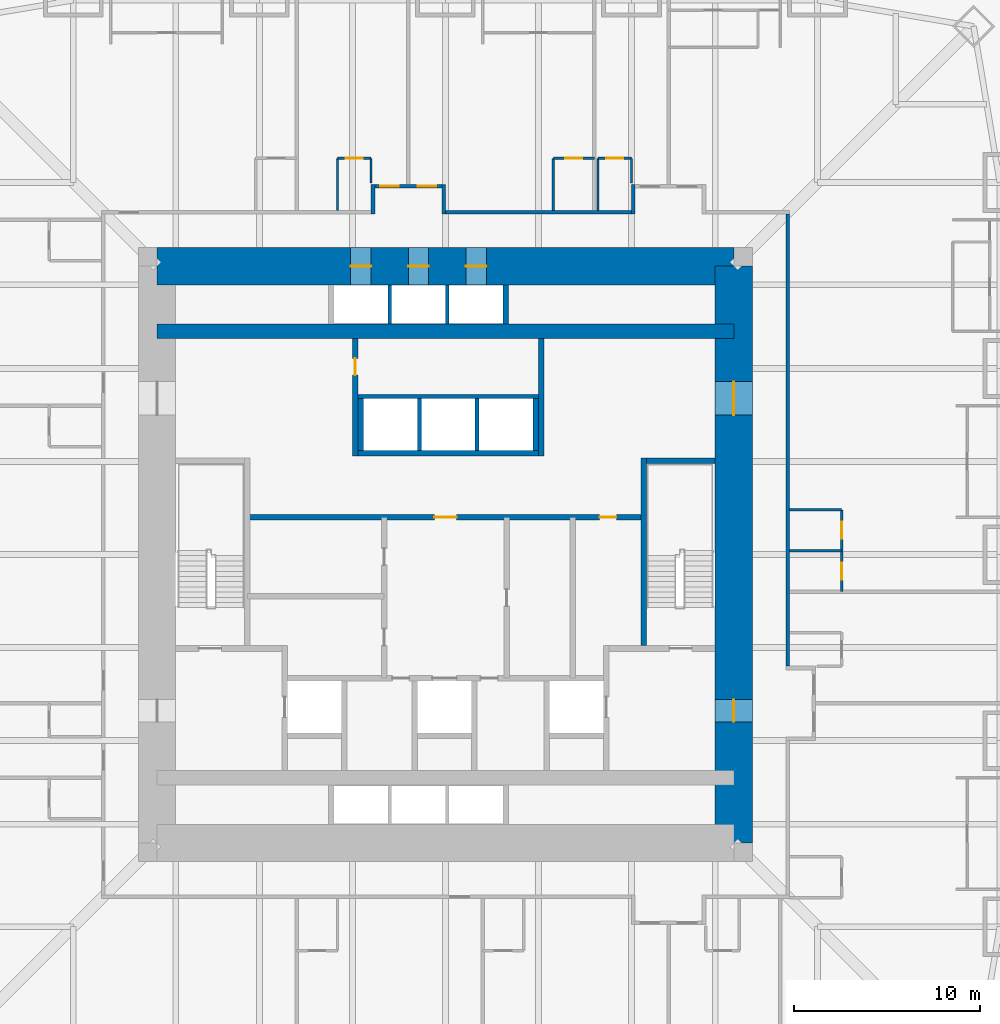
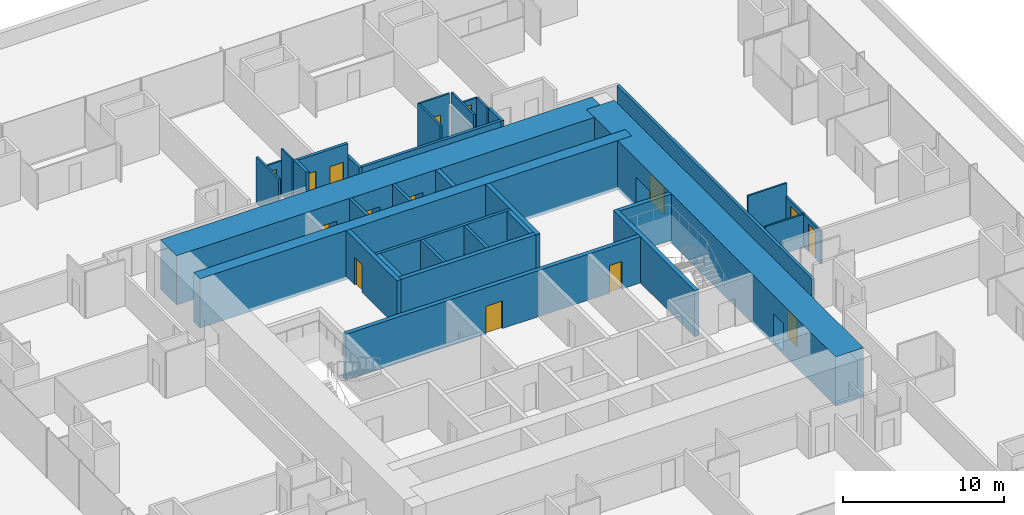
# One storey, part 17 of 20: 34 walls, 15 doors, 15 openings.
"""IFC4 building model written with IfcOpenShell, lengths in metres."""

import ifcopenshell
import ifcopenshell.guid

model = None  # the IFC model being written
_history = None  # IfcOwnerHistory: only IFC2X3 demands one
_inside = {}  # id of a spatial element -> (the spatial element, [elements in it])
_under = {}  # id of a project, library or spatial element -> (it, [spatial elements below it])
_declared = {}  # id of a project -> (the project, [libraries it declares])
_typed = {}  # id of a type object -> (the type object, [elements of that type])
_made_of = {}  # id of a material, layer set ... -> (it, [elements and type objects made of it])


def new_model(schema):
    """Start an empty IFC model of exactly this schema.

    Asked for "IFC4X3", IfcOpenShell would pick the latest addendum, in which some entities
    have other attributes; the version numbers below select the first issue.
    IFC2X3 requires an IfcOwnerHistory on every rooted entity: one is made here for all.
    """
    global model, _history
    if schema == "IFC4X3":
        model = ifcopenshell.file(schema_version=(4, 3, 0, 0))
    else:
        model = ifcopenshell.file(schema=schema)
    _inside.clear()
    _under.clear()
    _declared.clear()
    _typed.clear()
    _made_of.clear()
    _history = None
    if model.schema == "IFC2X3":
        org = make("IfcOrganization", Name="unknown")
        user = make(
            "IfcPersonAndOrganization",
            ThePerson=make("IfcPerson", FamilyName="unknown"),
            TheOrganization=org,
        )
        app = make(
            "IfcApplication",
            ApplicationDeveloper=org,
            Version="unknown",
            ApplicationFullName="unknown",
            ApplicationIdentifier="unknown",
        )
        _history = make(
            "IfcOwnerHistory",
            OwningUser=user,
            OwningApplication=app,
            ChangeAction="ADDED",
            CreationDate=0,
        )
    return model


def make(cls, **values):
    """One entity of the class cls with the attributes given. An attribute that is None is left unset."""
    return model.create_entity(
        cls, **{name: value for name, value in values.items() if value is not None}
    )


def rooted(cls, **values):
    """An entity with a GlobalId (a new one), such as an element, a storey or a relation."""
    return make(cls, GlobalId=ifcopenshell.guid.new(), OwnerHistory=_history, **values)


def si_unit(unit_type, name, prefix=None):
    """IfcSIUnit, for example si_unit("LENGTHUNIT", "METRE", prefix="MILLI")."""
    return make("IfcSIUnit", UnitType=unit_type, Prefix=prefix, Name=name)


def assignment(units):
    """IfcUnitAssignment: the units of a project."""
    return None if units is None else make("IfcUnitAssignment", Units=units)


def point(xyz):
    """IfcCartesianPoint."""
    return None if xyz is None else make("IfcCartesianPoint", Coordinates=xyz)


def direction(xyz):
    """IfcDirection."""
    return None if xyz is None else make("IfcDirection", DirectionRatios=xyz)


def frame(location, z_axis=None, x_axis=None):
    """IfcAxis2Placement3D, a coordinate frame: its origin and axes. An axis left out is left unset."""
    return make(
        "IfcAxis2Placement3D",
        Location=point(location),
        Axis=direction(z_axis),
        RefDirection=direction(x_axis),
    )


def frame_2d(location, x_axis=None):
    """IfcAxis2Placement2D, a coordinate frame in the plane: its origin and x axis."""
    return make(
        "IfcAxis2Placement2D", Location=point(location), RefDirection=direction(x_axis)
    )


def origin():
    """The frame at (0, 0, 0) with its axes left unset."""
    return frame((0.0, 0.0, 0.0))


def place(relative_to, where):
    """IfcLocalPlacement: puts the frame where relative to a parent placement (None: the world)."""
    return make(
        "IfcLocalPlacement", PlacementRelTo=relative_to, RelativePlacement=where
    )


def context(
    kind, dimensions, precision=None, world=None, true_north=None, identifier=None
):
    """IfcGeometricRepresentationContext, for example the 3D "Model" context."""
    return make(
        "IfcGeometricRepresentationContext",
        ContextIdentifier=identifier,
        ContextType=kind,
        CoordinateSpaceDimension=dimensions,
        Precision=precision,
        WorldCoordinateSystem=world,
        TrueNorth=true_north,
    )


def subcontext(parent, identifier, kind, view, scale=None):
    """IfcGeometricRepresentationSubContext, for example "Body" below "Model"."""
    return make(
        "IfcGeometricRepresentationSubContext",
        ContextIdentifier=identifier,
        ContextType=kind,
        ParentContext=parent,
        TargetScale=scale,
        TargetView=view,
    )


def project(units=None, contexts=None):
    """IfcProject with its units and contexts."""
    return rooted(
        "IfcProject",
        Name="project",
        RepresentationContexts=contexts,
        UnitsInContext=assignment(units),
    )


def spatial(cls, under=None, at=None, **own):
    """A site, building, storey or space (cls), placed at a placement, below another one or the project."""
    s = rooted(cls, ObjectPlacement=at, **own)
    if under is not None:
        _under.setdefault(under.id(), (under, []))[1].append(s)
    return s


def profile(cls, at=None, kind="AREA", **sizes):
    """A parametric profile (cls). Its sizes go by their IFC names, for example OverallWidth=200.0."""
    return make(cls, ProfileType=kind, Position=at, **sizes)


def rectangle(**sizes):
    """IfcRectangleProfileDef."""
    return profile("IfcRectangleProfileDef", **sizes)


def extrude(swept, where, along, depth):
    """IfcExtrudedAreaSolid: the profile swept, set in the frame where, extruded along a direction by depth."""
    return make(
        "IfcExtrudedAreaSolid",
        SweptArea=swept,
        Position=where,
        ExtrudedDirection=direction(along),
        Depth=depth,
    )


def shape(context_of_items, identifier, shape_type, items):
    """IfcShapeRepresentation: the items that make up one representation, for example the "Body"."""
    return make(
        "IfcShapeRepresentation",
        ContextOfItems=context_of_items,
        RepresentationIdentifier=identifier,
        RepresentationType=shape_type,
        Items=items,
    )


def material(Name=None, Category=None):
    """IfcMaterial."""
    return make("IfcMaterial", Name=Name, Category=Category)


def layer(
    of_material, thickness, ventilated=None, Name=None, Category=None, Priority=None
):
    """IfcMaterialLayer: one layer of a wall or slab, of a material (None: an air gap)."""
    return make(
        "IfcMaterialLayer",
        Material=of_material,
        LayerThickness=thickness,
        IsVentilated=ventilated,
        Name=Name,
        Category=Category,
        Priority=Priority,
    )


def layer_set(layers, Name=None):
    """IfcMaterialLayerSet."""
    return make("IfcMaterialLayerSet", MaterialLayers=layers, LayerSetName=Name)


def made_of(thing, what):
    """Note that an element or type object is made of a material, layer set ...; save() writes the relation."""
    if what is not None:
        _made_of.setdefault(what.id(), (what, []))[1].append(thing)
    return thing


def type_object(cls, material=None, **own):
    """A type object (cls), such as IfcWallType, which elements share."""
    return made_of(rooted(cls, **own), material)


def element(
    cls,
    number,
    at=None,
    inside=None,
    cuts=None,
    type_object=None,
    material=None,
    context=None,
    identifier="Body",
    shape_type=None,
    held_by="IfcProductDefinitionShape",
    body=None,
    shapes=None,
    **own,
):
    """One element of the class cls, such as IfcWall. Its Tag is "e" and its number.

    at: its placement. inside: the storey or other place that contains it. cuts: it is an
    opening in that element (IfcRelVoidsElement). A single representation is given by context,
    identifier, shape_type and body (its items); several are given by shapes. held_by: the class
    of the entity that holds the representations. save() writes the other relations.
    """
    e = rooted(cls, Tag="e%d" % number, ObjectPlacement=at, **own)
    if body is not None:
        shapes = [shape(context, identifier, shape_type, body)]
    if shapes is not None:
        e.Representation = make(held_by, Representations=shapes)
    if inside is not None:
        _inside.setdefault(inside.id(), (inside, []))[1].append(e)
    if cuts is not None:
        rooted(
            "IfcRelVoidsElement", RelatingBuildingElement=cuts, RelatedOpeningElement=e
        )
    if type_object is not None:
        _typed.setdefault(type_object.id(), (type_object, []))[1].append(e)
    return made_of(e, material)


def fill(opening, filler):
    """IfcRelFillsElement: the door or window that sits in an opening."""
    return rooted(
        "IfcRelFillsElement",
        RelatingOpeningElement=opening,
        RelatedBuildingElement=filler,
    )


def aggregate(whole, parts):
    """IfcRelAggregates: a whole, such as a stair, and the parts it consists of."""
    return rooted("IfcRelAggregates", RelatingObject=whole, RelatedObjects=parts)


def save(model, path):
    """Write the relations noted so far, then the file.

    IfcRelAggregates (storeys below a building ...), IfcRelContainedInSpatialStructure (elements
    in a storey), IfcRelDefinesByType, IfcRelAssociatesMaterial and IfcRelDeclares: one each for
    every whole, place, type object, material and project.
    """
    for whole, parts in _under.values():
        aggregate(whole, parts)
    for where, things in _inside.values():
        rooted(
            "IfcRelContainedInSpatialStructure",
            RelatedElements=things,
            RelatingStructure=where,
        )
    for kind, things in _typed.values():
        rooted("IfcRelDefinesByType", RelatedObjects=things, RelatingType=kind)
    for what, things in _made_of.values():
        rooted("IfcRelAssociatesMaterial", RelatedObjects=things, RelatingMaterial=what)
    for by, libraries in _declared.values():
        rooted("IfcRelDeclares", RelatingContext=by, RelatedDefinitions=libraries)
    model.write(path)


model = new_model("IFC4")

# Units and contexts
model_context = context("Model", 3, precision=1e-05, world=origin(), true_north=direction((0.0, 1.0)))
body_context = subcontext(model_context, "Body", "Model", "MODEL_VIEW")
ifc_project = project(units=[si_unit("LENGTHUNIT", "METRE"), si_unit("AREAUNIT", "SQUARE_METRE"), si_unit("VOLUMEUNIT", "CUBIC_METRE"), si_unit("PLANEANGLEUNIT", "RADIAN"), si_unit("MASSUNIT", "GRAM", prefix="KILO")], contexts=[model_context])

# Site, building, storey
site_placement = place(None, origin())
site = spatial("IfcSite", under=ifc_project, at=site_placement, CompositionType="ELEMENT")
building_placement = place(site_placement, origin())
building = spatial("IfcBuilding", under=site, at=building_placement, Name="Khuree Lantern Residences", CompositionType="ELEMENT")
storey_placement = place(building_placement, frame((0.0, 0.0, 21.0)))
storey = spatial("IfcBuildingStorey", under=building, at=storey_placement, Name="L04", CompositionType="ELEMENT", Elevation=21.0)

# Wall, openings, doors
ifc_material_1 = material(Name="Moisture-resistant gypsum board on steel studs", Category="steel")
ifc_layer_1 = layer(ifc_material_1, 0.125)
ifc_layer_set_1 = layer_set([ifc_layer_1], Name="BATHROOM WALL BTW125")
wall_type_1 = type_object("IfcWallType", Name="BATHROOM WALL BTW125", PredefinedType="PARTITIONING", material=ifc_layer_set_1)
wall_1_placement = place(storey_placement, frame((21.300048828125, -2.0, 0.0), z_axis=(0.0, 0.0, 1.0), x_axis=(0.0, 1.0, 0.0)))
wall_1 = element("IfcWall", 1, at=wall_1_placement, inside=storey, type_object=wall_type_1, Name="L04 BATHROOM WALL 02", PredefinedType="PARTITIONING", context=body_context, shape_type="SweptSolid", body=[
    extrude(rectangle(XDim=4.39990234375, YDim=0.125, at=frame_2d((2.199951171875, 0.0))), origin(), (0.0, 0.0, 1.0), 2.491943359375),
])
opening_1_placement = place(wall_1_placement, frame((0.64990234375, 0.0, 0.0)))
opening_1 = element("IfcOpeningElement", 2, at=opening_1_placement, cuts=wall_1, Name="Opening 04-028", PredefinedType="OPENING", context=body_context, shape_type="SweptSolid", body=[
    extrude(rectangle(XDim=0.89990234375, YDim=2.10009765625, at=frame_2d((0.449951171875, 1.050048828125))), frame((0.0, 0.072509765625, 0.0), z_axis=(0.0, -1.0, 0.0), x_axis=(1.0, 0.0, 0.0)), (0.0, 0.0, 1.0), 0.14501953125),
])
opening_2_placement = place(wall_1_placement, frame((2.85009765625, 0.0, 0.0)))
opening_2 = element("IfcOpeningElement", 3, at=opening_2_placement, cuts=wall_1, Name="Opening 04-029", PredefinedType="OPENING", context=body_context, shape_type="SweptSolid", body=[
    extrude(rectangle(XDim=0.89990234375, YDim=2.10009765625, at=frame_2d((0.449951171875, 1.050048828125))), frame((0.0, 0.072509765625, 0.0), z_axis=(0.0, -1.0, 0.0), x_axis=(1.0, 0.0, 0.0)), (0.0, 0.0, 1.0), 0.14501953125),
])
ifc_material_2 = material(Name="Timber door leaf in hardwood frame", Category="wood")
door_type_1 = type_object("IfcDoorType", Name="BATHROOM DOOR 900X2100", OperationType="SINGLE_SWING_LEFT", PredefinedType="DOOR", material=ifc_material_2)
door_1_placement = place(opening_1_placement, origin())
door_1 = element("IfcDoor", 4, at=door_1_placement, inside=storey, type_object=door_type_1, Name="Bathroom door 04-028", OperationType="SINGLE_SWING_LEFT", OverallHeight=2.10009765625, OverallWidth=0.89990234375, PredefinedType="DOOR", context=body_context, shape_type="SweptSolid", body=[
    extrude(rectangle(XDim=0.89990234375, YDim=2.10009765625, at=frame_2d((0.449951171875, 1.050048828125))), frame((0.0, 0.02490234375, 0.0), z_axis=(0.0, -1.0, 0.0), x_axis=(1.0, 0.0, 0.0)), (0.0, 0.0, 1.0), 0.050048828125),
])
fill(opening_1, door_1)
door_2_placement = place(opening_2_placement, origin())
door_2 = element("IfcDoor", 5, at=door_2_placement, inside=storey, type_object=door_type_1, Name="Bathroom door 04-029", OperationType="SINGLE_SWING_LEFT", OverallHeight=2.10009765625, OverallWidth=0.89990234375, PredefinedType="DOOR", context=body_context, shape_type="SweptSolid", body=[
    extrude(rectangle(XDim=0.89990234375, YDim=2.10009765625, at=frame_2d((0.449951171875, 1.050048828125))), frame((0.0, 0.02490234375, 0.0), z_axis=(0.0, -1.0, 0.0), x_axis=(1.0, 0.0, 0.0)), (0.0, 0.0, 1.0), 0.050048828125),
])
fill(opening_2, door_2)

# Walls
wall_2_placement = place(storey_placement, frame((18.5, 0.199951171875, 0.0), z_axis=(0.0, 0.0, 1.0), x_axis=(1.0, 0.0, 0.0)))
element("IfcWall", 6, at=wall_2_placement, inside=storey, type_object=wall_type_1, Name="L04 BATHROOM WALL 02", PredefinedType="PARTITIONING", context=body_context, shape_type="SweptSolid", body=[
    extrude(rectangle(XDim=2.800048828125, YDim=0.125, at=frame_2d((1.39990234375, 0.0))), origin(), (0.0, 0.0, 1.0), 2.491943359375),
])
wall_3_placement = place(storey_placement, frame((18.5, 2.39990234375, 0.0), z_axis=(0.0, 0.0, 1.0), x_axis=(1.0, 0.0, 0.0)))
element("IfcWall", 7, at=wall_3_placement, inside=storey, type_object=wall_type_1, Name="L04 BATHROOM WALL 02", PredefinedType="PARTITIONING", context=body_context, shape_type="SweptSolid", body=[
    extrude(rectangle(XDim=2.800048828125, YDim=0.125, at=frame_2d((1.39990234375, 0.0))), origin(), (0.0, 0.0, 1.0), 3.5),
])

# Wall, opening, door
wall_4_placement = place(storey_placement, frame((10.0, 21.300048828125, 0.0), z_axis=(0.0, 0.0, 1.0), x_axis=(-1.0, 0.0, 0.0)))
wall_4 = element("IfcWall", 8, at=wall_4_placement, inside=storey, type_object=wall_type_1, Name="L04 BATHROOM WALL 03", PredefinedType="PARTITIONING", context=body_context, shape_type="SweptSolid", body=[
    extrude(rectangle(XDim=1.800048828125, YDim=0.125, at=frame_2d((0.89990234375, 0.0))), origin(), (0.0, 0.0, 1.0), 2.491943359375),
])
opening_3_placement = place(wall_4_placement, frame((0.449951171875, 0.0, 0.0)))
opening_3 = element("IfcOpeningElement", 9, at=opening_3_placement, cuts=wall_4, Name="Opening 04-031", PredefinedType="OPENING", context=body_context, shape_type="SweptSolid", body=[
    extrude(rectangle(XDim=0.89990234375, YDim=2.10009765625, at=frame_2d((0.449951171875, 1.050048828125))), frame((0.0, 0.072509765625, 0.0), z_axis=(0.0, -1.0, 0.0), x_axis=(1.0, 0.0, 0.0)), (0.0, 0.0, 1.0), 0.14501953125),
])
door_3_placement = place(opening_3_placement, origin())
door_3 = element("IfcDoor", 10, at=door_3_placement, inside=storey, type_object=door_type_1, Name="Bathroom door 04-031", OperationType="SINGLE_SWING_LEFT", OverallHeight=2.10009765625, OverallWidth=0.89990234375, PredefinedType="DOOR", context=body_context, shape_type="SweptSolid", body=[
    extrude(rectangle(XDim=0.89990234375, YDim=2.10009765625, at=frame_2d((0.449951171875, 1.050048828125))), frame((0.0, 0.02490234375, 0.0), z_axis=(0.0, -1.0, 0.0), x_axis=(1.0, 0.0, 0.0)), (0.0, 0.0, 1.0), 0.050048828125),
])
fill(opening_3, door_3)

# Walls
wall_5_placement = place(storey_placement, frame((10.0, 19.969970703125, 0.0), z_axis=(0.0, 0.0, 1.0), x_axis=(0.0, 1.0, 0.0)))
element("IfcWall", 11, at=wall_5_placement, inside=storey, type_object=wall_type_1, Name="L04 BATHROOM WALL 03", PredefinedType="PARTITIONING", context=body_context, shape_type="SweptSolid", body=[
    extrude(rectangle(XDim=1.330078125, YDim=0.125, at=frame_2d((0.6650390625, 0.0))), origin(), (0.0, 0.0, 1.0), 2.491943359375),
])
wall_6_placement = place(storey_placement, frame((8.199951171875, 18.5, 0.0), z_axis=(0.0, 0.0, 1.0), x_axis=(0.0, 1.0, 0.0)))
element("IfcWall", 12, at=wall_6_placement, inside=storey, type_object=wall_type_1, Name="L04 BATHROOM WALL 03", PredefinedType="PARTITIONING", context=body_context, shape_type="SweptSolid", body=[
    extrude(rectangle(XDim=2.800048828125, YDim=0.125, at=frame_2d((1.39990234375, 0.0))), origin(), (0.0, 0.0, 1.0), 3.5),
])

# Wall, opening, door
wall_7_placement = place(storey_placement, frame((8.0, 21.300048828125, 0.0), z_axis=(0.0, 0.0, 1.0), x_axis=(-1.0, 0.0, 0.0)))
wall_7 = element("IfcWall", 13, at=wall_7_placement, inside=storey, type_object=wall_type_1, Name="L04 BATHROOM WALL 04", PredefinedType="PARTITIONING", context=body_context, shape_type="SweptSolid", body=[
    extrude(rectangle(XDim=2.199951171875, YDim=0.125, at=frame_2d((1.10009765625, 0.0))), origin(), (0.0, 0.0, 1.0), 3.5),
])
opening_4_placement = place(wall_7_placement, frame((0.64990234375, 0.0, 0.0)))
opening_4 = element("IfcOpeningElement", 14, at=opening_4_placement, cuts=wall_7, Name="Opening 04-034", PredefinedType="OPENING", context=body_context, shape_type="SweptSolid", body=[
    extrude(rectangle(XDim=0.89990234375, YDim=2.10009765625, at=frame_2d((0.449951171875, 1.050048828125))), frame((0.0, 0.072509765625, 0.0), z_axis=(0.0, -1.0, 0.0), x_axis=(1.0, 0.0, 0.0)), (0.0, 0.0, 1.0), 0.14501953125),
])
door_4_placement = place(opening_4_placement, origin())
door_4 = element("IfcDoor", 15, at=door_4_placement, inside=storey, type_object=door_type_1, Name="Bathroom door 04-034", OperationType="SINGLE_SWING_LEFT", OverallHeight=2.10009765625, OverallWidth=0.89990234375, PredefinedType="DOOR", context=body_context, shape_type="SweptSolid", body=[
    extrude(rectangle(XDim=0.89990234375, YDim=2.10009765625, at=frame_2d((0.449951171875, 1.050048828125))), frame((0.0, 0.02490234375, 0.0), z_axis=(0.0, -1.0, 0.0), x_axis=(1.0, 0.0, 0.0)), (0.0, 0.0, 1.0), 0.050048828125),
])
fill(opening_4, door_4)

# Wall
wall_8_placement = place(storey_placement, frame((5.800048828125, 18.5, 0.0), z_axis=(0.0, 0.0, 1.0), x_axis=(0.0, 1.0, 0.0)))
element("IfcWall", 16, at=wall_8_placement, inside=storey, type_object=wall_type_1, Name="L04 BATHROOM WALL 04", PredefinedType="PARTITIONING", context=body_context, shape_type="SweptSolid", body=[
    extrude(rectangle(XDim=2.800048828125, YDim=0.125, at=frame_2d((1.39990234375, 0.0))), origin(), (0.0, 0.0, 1.0), 3.5),
])

# Wall, opening, door
wall_9_placement = place(storey_placement, frame((-4.0, 21.300048828125, 0.0), z_axis=(0.0, 0.0, 1.0), x_axis=(-1.0, 0.0, 0.0)))
wall_9 = element("IfcWall", 17, at=wall_9_placement, inside=storey, type_object=wall_type_1, Name="L04 BATHROOM WALL 05", PredefinedType="PARTITIONING", context=body_context, shape_type="SweptSolid", body=[
    extrude(rectangle(XDim=1.800048828125, YDim=0.125, at=frame_2d((0.89990234375, 0.0))), origin(), (0.0, 0.0, 1.0), 2.610107421875),
])
opening_5_placement = place(wall_9_placement, frame((0.449951171875, 0.0, 0.0)))
opening_5 = element("IfcOpeningElement", 18, at=opening_5_placement, cuts=wall_9, Name="Opening 04-036", PredefinedType="OPENING", context=body_context, shape_type="SweptSolid", body=[
    extrude(rectangle(XDim=0.89990234375, YDim=2.10009765625, at=frame_2d((0.449951171875, 1.050048828125))), frame((0.0, 0.072509765625, 0.0), z_axis=(0.0, -1.0, 0.0), x_axis=(1.0, 0.0, 0.0)), (0.0, 0.0, 1.0), 0.14501953125),
])
door_5_placement = place(opening_5_placement, origin())
door_5 = element("IfcDoor", 19, at=door_5_placement, inside=storey, type_object=door_type_1, Name="Bathroom door 04-036", OperationType="SINGLE_SWING_LEFT", OverallHeight=2.10009765625, OverallWidth=0.89990234375, PredefinedType="DOOR", context=body_context, shape_type="SweptSolid", body=[
    extrude(rectangle(XDim=0.89990234375, YDim=2.10009765625, at=frame_2d((0.449951171875, 1.050048828125))), frame((0.0, 0.02490234375, 0.0), z_axis=(0.0, -1.0, 0.0), x_axis=(1.0, 0.0, 0.0)), (0.0, 0.0, 1.0), 0.050048828125),
])
fill(opening_5, door_5)

# Walls
wall_10_placement = place(storey_placement, frame((-4.0, 19.969970703125, 0.0), z_axis=(0.0, 0.0, 1.0), x_axis=(0.0, 1.0, 0.0)))
element("IfcWall", 20, at=wall_10_placement, inside=storey, type_object=wall_type_1, Name="L04 BATHROOM WALL 05", PredefinedType="PARTITIONING", context=body_context, shape_type="SweptSolid", body=[
    extrude(rectangle(XDim=1.330078125, YDim=0.125, at=frame_2d((0.6650390625, 0.0))), origin(), (0.0, 0.0, 1.0), 3.5),
])
wall_11_placement = place(storey_placement, frame((-5.800048828125, 18.5, 0.0), z_axis=(0.0, 0.0, 1.0), x_axis=(0.0, 1.0, 0.0)))
element("IfcWall", 21, at=wall_11_placement, inside=storey, type_object=wall_type_1, Name="L04 BATHROOM WALL 05", PredefinedType="PARTITIONING", context=body_context, shape_type="SweptSolid", body=[
    extrude(rectangle(XDim=2.800048828125, YDim=0.125, at=frame_2d((1.39990234375, 0.0))), origin(), (0.0, 0.0, 1.0), 3.5),
])
ifc_material_3 = material(Name="Dense concrete blockwork", Category="masonry")
ifc_layer_2 = layer(ifc_material_3, 0.300048828125)
ifc_layer_set_2 = layer_set([ifc_layer_2], Name="CORE PARTITION WALL CPW300 EI 120")
wall_type_2 = type_object("IfcWallType", Name="CORE PARTITION WALL CPW300 EI 120", PredefinedType="PARTITIONING", material=ifc_layer_set_2)
wall_12_placement = place(storey_placement, frame((-4.699951171875, 5.449951171875, 0.0), z_axis=(0.0, 0.0, 1.0), x_axis=(1.0, 0.0, 0.0)))
element("IfcWall", 22, at=wall_12_placement, inside=storey, type_object=wall_type_2, Name="L04 CORE WALL PHS", PredefinedType="PARTITIONING", context=body_context, shape_type="SweptSolid", body=[
    extrude(rectangle(XDim=9.699951171875, YDim=0.300048828125, at=frame_2d((4.85009765625, 0.0))), origin(), (0.0, 0.0, 1.0), 3.5),
])
for number, where, z_axis, x_axis, name in (
    (23, (-4.550048828125, 5.60009765625, 0.0), (0.0, 0.0, 1.0), (0.0, 1.0, 0.0), "L04 CORE WALL PHW"),
    (24, (4.85009765625, 5.60009765625, 0.0), (0.0, 0.0, 1.0), (0.0, 1.0, 0.0), "L04 CORE WALL PHE"),
):
    element("IfcWall", number, at=place(storey_placement, frame(where, z_axis=z_axis, x_axis=x_axis)), inside=storey, type_object=wall_type_2, Name=name, PredefinedType="PARTITIONING", context=body_context, shape_type="SweptSolid", body=[
        extrude(rectangle(XDim=2.7998046875, YDim=0.300048828125, at=frame_2d((1.39990234375, 0.0))), origin(), (0.0, 0.0, 1.0), 3.5),
    ])
wall_13_placement = place(storey_placement, frame((3.25, 12.39990234375, 0.0), z_axis=(0.0, 0.0, 1.0), x_axis=(0.0, 1.0, 0.0)))
element("IfcWall", 25, at=wall_13_placement, inside=storey, type_object=wall_type_2, Name="L04 CORE WALL PLE", PredefinedType="PARTITIONING", context=body_context, shape_type="SweptSolid", body=[
    extrude(rectangle(XDim=2.10009765625, YDim=0.300048828125, at=frame_2d((1.050048828125, 0.0))), origin(), (0.0, 0.0, 1.0), 3.5),
])

# Wall, openings, doors
wall_14_placement = place(storey_placement, frame((-10.64990234375, 2.0, 0.0), z_axis=(0.0, 0.0, 1.0), x_axis=(1.0, 0.0, 0.0)))
wall_14 = element("IfcWall", 26, at=wall_14_placement, inside=storey, type_object=wall_type_2, Name="L04 CORE WALL LLS", PredefinedType="PARTITIONING", context=body_context, shape_type="SweptSolid", body=[
    extrude(rectangle(XDim=21.2998046875, YDim=0.300048828125, at=frame_2d((10.64990234375, 0.0))), origin(), (0.0, 0.0, 1.0), 3.5),
])
opening_6_placement = place(wall_14_placement, frame((10.050048828125, 0.0, 0.0)))
opening_6 = element("IfcOpeningElement", 27, at=opening_6_placement, cuts=wall_14, Name="Opening 04-013", PredefinedType="OPENING", context=body_context, shape_type="SweptSolid", body=[
    extrude(rectangle(XDim=1.199951171875, YDim=2.10009765625, at=frame_2d((0.60009765625, 1.050048828125))), frame((0.0, 0.16015625, 0.0), z_axis=(0.0, -1.0, 0.0), x_axis=(1.0, 0.0, 0.0)), (0.0, 0.0, 1.0), 0.320068359375),
])
opening_7_placement = place(wall_14_placement, frame((18.94189453125, 0.0, 0.0)))
opening_7 = element("IfcOpeningElement", 28, at=opening_7_placement, cuts=wall_14, Name="Opening 04-019", PredefinedType="OPENING", context=body_context, shape_type="SweptSolid", body=[
    extrude(rectangle(XDim=0.89990234375, YDim=2.10009765625, at=frame_2d((0.449951171875, 1.050048828125))), frame((0.0, 0.16015625, 0.0), z_axis=(0.0, -1.0, 0.0), x_axis=(1.0, 0.0, 0.0)), (0.0, 0.0, 1.0), 0.320068359375),
])
ifc_material_4 = material(Name="Steel door leaf in steel frame", Category="steel")
door_type_2 = type_object("IfcDoorType", Name="DOOR 1200X2100 EI 60", OperationType="SINGLE_SWING_LEFT", PredefinedType="DOOR", material=ifc_material_4)
door_6_placement = place(opening_6_placement, origin())
door_6 = element("IfcDoor", 29, at=door_6_placement, inside=storey, type_object=door_type_2, Name="Service lift lobby door 04-013", OperationType="SINGLE_SWING_LEFT", OverallHeight=2.10009765625, OverallWidth=1.199951171875, PredefinedType="DOOR", context=body_context, shape_type="SweptSolid", body=[
    extrude(rectangle(XDim=1.199951171875, YDim=2.10009765625, at=frame_2d((0.60009765625, 1.050048828125))), frame((0.0, 0.02490234375, 0.0), z_axis=(0.0, -1.0, 0.0), x_axis=(1.0, 0.0, 0.0)), (0.0, 0.0, 1.0), 0.050048828125),
])
fill(opening_6, door_6)
door_type_3 = type_object("IfcDoorType", Name="DOOR 900X2100 RIGHT HAND", OperationType="SINGLE_SWING_RIGHT", PredefinedType="DOOR", material=ifc_material_2)
door_7_placement = place(opening_7_placement, origin())
door_7 = element("IfcDoor", 30, at=door_7_placement, inside=storey, type_object=door_type_3, Name="Residents' store door 04-019", OperationType="SINGLE_SWING_RIGHT", OverallHeight=2.10009765625, OverallWidth=0.89990234375, PredefinedType="DOOR", context=body_context, shape_type="SweptSolid", body=[
    extrude(rectangle(XDim=0.89990234375, YDim=2.10009765625, at=frame_2d((0.449951171875, 1.050048828125))), frame((0.0, 0.02490234375, 0.0), z_axis=(0.0, -1.0, 0.0), x_axis=(1.0, 0.0, 0.0)), (0.0, 0.0, 1.0), 0.050048828125),
])
fill(opening_7, door_7)

# Wall, opening, door
wall_15_placement = place(storey_placement, frame((-4.85009765625, 5.300048828125, 0.0), z_axis=(0.0, 0.0, 1.0), x_axis=(0.0, 1.0, 0.0)))
wall_15 = element("IfcWall", 31, at=wall_15_placement, inside=storey, type_object=wall_type_2, Name="L04 CORE WALL NW", PredefinedType="PARTITIONING", context=body_context, shape_type="SweptSolid", body=[
    extrude(rectangle(XDim=6.300048828125, YDim=0.300048828125, at=frame_2d((3.14990234375, 0.0))), origin(), (0.0, 0.0, 1.0), 3.5),
])
opening_8_placement = place(wall_15_placement, frame((4.35009765625, 0.0, 0.0)))
opening_8 = element("IfcOpeningElement", 32, at=opening_8_placement, cuts=wall_15, Name="Opening 04-020", PredefinedType="OPENING", context=body_context, shape_type="SweptSolid", body=[
    extrude(rectangle(XDim=0.89990234375, YDim=2.10009765625, at=frame_2d((0.449951171875, 1.050048828125))), frame((0.0, 0.16015625, 0.0), z_axis=(0.0, -1.0, 0.0), x_axis=(1.0, 0.0, 0.0)), (0.0, 0.0, 1.0), 0.320068359375),
])
door_8_placement = place(opening_8_placement, origin())
door_8 = element("IfcDoor", 33, at=door_8_placement, inside=storey, type_object=door_type_3, Name="Residents' store door 04-020", OperationType="SINGLE_SWING_RIGHT", OverallHeight=2.10009765625, OverallWidth=0.89990234375, PredefinedType="DOOR", context=body_context, shape_type="SweptSolid", body=[
    extrude(rectangle(XDim=0.89990234375, YDim=2.10009765625, at=frame_2d((0.449951171875, 1.050048828125))), frame((0.0, 0.02490234375, 0.0), z_axis=(0.0, -1.0, 0.0), x_axis=(1.0, 0.0, 0.0)), (0.0, 0.0, 1.0), 0.050048828125),
])
fill(opening_8, door_8)

# Walls
wall_16_placement = place(storey_placement, frame((5.14990234375, 5.300048828125, 0.0), z_axis=(0.0, 0.0, 1.0), x_axis=(0.0, 1.0, 0.0)))
element("IfcWall", 34, at=wall_16_placement, inside=storey, type_object=wall_type_2, Name="L04 CORE WALL NE", PredefinedType="PARTITIONING", context=body_context, shape_type="SweptSolid", body=[
    extrude(rectangle(XDim=6.300048828125, YDim=0.300048828125, at=frame_2d((3.14990234375, 0.0))), origin(), (0.0, 0.0, 1.0), 3.5),
])
ifc_material_5 = material(Name="Gypsum board on steel studs", Category="steel")
ifc_layer_3 = layer(ifc_material_5, 0.199951171875)
ifc_layer_set_3 = layer_set([ifc_layer_3], Name="CORRIDOR WALL CRW200 EI 60")
wall_type_3 = type_object("IfcWallType", Name="CORRIDOR WALL CRW200 EI 60", PredefinedType="PARTITIONING", material=ifc_layer_set_3)
wall_17_placement = place(storey_placement, frame((18.39990234375, -6.0, 0.0), z_axis=(0.0, 0.0, 1.0), x_axis=(0.0, 1.0, 0.0)))
element("IfcWall", 35, at=wall_17_placement, inside=storey, type_object=wall_type_3, Name="L04 CORRIDOR WALL EAST 2", PredefinedType="PARTITIONING", context=body_context, shape_type="SweptSolid", body=[
    extrude(rectangle(XDim=24.300048828125, YDim=0.199951171875, at=frame_2d((12.14990234375, 0.0))), origin(), (0.0, 0.0, 1.0), 2.300048828125),
])
wall_18_placement = place(storey_placement, frame((-3.89990234375, 18.300048828125, 0.0), z_axis=(0.0, 0.0, 1.0), x_axis=(0.0, 1.0, 0.0)))
element("IfcWall", 36, at=wall_18_placement, inside=storey, type_object=wall_type_3, Name="L04 CORRIDOR ALCOVE WALL NORTH", PredefinedType="PARTITIONING", context=body_context, shape_type="SweptSolid", body=[
    extrude(rectangle(XDim=1.599853515625, YDim=0.199951171875, at=frame_2d((0.7998046875, 0.0))), origin(), (0.0, 0.0, 1.0), 3.5),
])
wall_19_placement = place(storey_placement, frame((-0.10009765625, 18.300048828125, 0.0), z_axis=(0.0, 0.0, 1.0), x_axis=(0.0, 1.0, 0.0)))
element("IfcWall", 37, at=wall_19_placement, inside=storey, type_object=wall_type_3, Name="L04 CORRIDOR ALCOVE WALL NORTH", PredefinedType="PARTITIONING", context=body_context, shape_type="SweptSolid", body=[
    extrude(rectangle(XDim=1.599853515625, YDim=0.199951171875, at=frame_2d((0.7998046875, 0.0))), origin(), (0.0, 0.0, 1.0), 2.491943359375),
])

# Wall, openings, doors
wall_20_placement = place(storey_placement, frame((-3.800048828125, 19.800048828125, 0.0), z_axis=(0.0, 0.0, 1.0), x_axis=(1.0, 0.0, 0.0)))
wall_20 = element("IfcWall", 38, at=wall_20_placement, inside=storey, type_object=wall_type_3, Name="L04 CORRIDOR ALCOVE WALL NORTH", PredefinedType="PARTITIONING", context=body_context, shape_type="SweptSolid", body=[
    extrude(rectangle(XDim=3.60009765625, YDim=0.199951171875, at=frame_2d((1.800048828125, 0.0))), origin(), (0.0, 0.0, 1.0), 3.5),
])
opening_9_placement = place(wall_20_placement, frame((2.300048828125, 0.0, 0.0)))
opening_9 = element("IfcOpeningElement", 39, at=opening_9_placement, cuts=wall_20, Name="Opening 04-035", PredefinedType="OPENING", context=body_context, shape_type="SweptSolid", body=[
    extrude(rectangle(XDim=1.0, YDim=2.199951171875, at=frame_2d((0.5, 1.10009765625))), frame((0.0, 0.10986328125, 0.0), z_axis=(0.0, -1.0, 0.0), x_axis=(1.0, 0.0, 0.0)), (0.0, 0.0, 1.0), 0.219970703125),
])
opening_10_placement = place(wall_20_placement, frame((0.300048828125, 0.0, 0.0)))
opening_10 = element("IfcOpeningElement", 40, at=opening_10_placement, cuts=wall_20, Name="Opening 04-037", PredefinedType="OPENING", context=body_context, shape_type="SweptSolid", body=[
    extrude(rectangle(XDim=1.0, YDim=2.199951171875, at=frame_2d((0.5, 1.10009765625))), frame((0.0, 0.10986328125, 0.0), z_axis=(0.0, -1.0, 0.0), x_axis=(1.0, 0.0, 0.0)), (0.0, 0.0, 1.0), 0.219970703125),
])
door_type_4 = type_object("IfcDoorType", Name="APARTMENT ENTRANCE DOOR 1000X2200 EI 30S", OperationType="SINGLE_SWING_LEFT", PredefinedType="DOOR", material=ifc_material_2)
door_9_placement = place(opening_9_placement, origin())
door_9 = element("IfcDoor", 41, at=door_9_placement, inside=storey, type_object=door_type_4, Name="Apartment 04 entrance door 04-035", OperationType="SINGLE_SWING_LEFT", OverallHeight=2.199951171875, OverallWidth=1.0, PredefinedType="DOOR", context=body_context, shape_type="SweptSolid", body=[
    extrude(rectangle(XDim=1.0, YDim=2.199951171875, at=frame_2d((0.5, 1.10009765625))), frame((0.0, 0.02490234375, 0.0), z_axis=(0.0, -1.0, 0.0), x_axis=(1.0, 0.0, 0.0)), (0.0, 0.0, 1.0), 0.050048828125),
])
fill(opening_9, door_9)
door_10_placement = place(opening_10_placement, origin())
door_10 = element("IfcDoor", 42, at=door_10_placement, inside=storey, type_object=door_type_4, Name="Apartment 05 entrance door 04-037", OperationType="SINGLE_SWING_LEFT", OverallHeight=2.199951171875, OverallWidth=1.0, PredefinedType="DOOR", context=body_context, shape_type="SweptSolid", body=[
    extrude(rectangle(XDim=1.0, YDim=2.199951171875, at=frame_2d((0.5, 1.10009765625))), frame((0.0, 0.02490234375, 0.0), z_axis=(0.0, -1.0, 0.0), x_axis=(1.0, 0.0, 0.0)), (0.0, 0.0, 1.0), 0.050048828125),
])
fill(opening_10, door_10)

# Walls
wall_21_placement = place(storey_placement, frame((0.0, 18.39990234375, 0.0), z_axis=(0.0, 0.0, 1.0), x_axis=(1.0, 0.0, 0.0)))
element("IfcWall", 43, at=wall_21_placement, inside=storey, type_object=wall_type_3, Name="L04 CORRIDOR WALL NORTH 2", PredefinedType="PARTITIONING", context=body_context, shape_type="SweptSolid", body=[
    extrude(rectangle(XDim=10.0, YDim=0.199951171875, at=frame_2d((5.0, 0.0))), origin(), (0.0, 0.0, 1.0), 2.491943359375),
])
wall_22_placement = place(storey_placement, frame((10.10009765625, 18.300048828125, 0.0), z_axis=(0.0, 0.0, 1.0), x_axis=(0.0, 1.0, 0.0)))
element("IfcWall", 44, at=wall_22_placement, inside=storey, type_object=wall_type_3, Name="L04 CORRIDOR ALCOVE WALL NORTH", PredefinedType="PARTITIONING", context=body_context, shape_type="SweptSolid", body=[
    extrude(rectangle(XDim=1.599853515625, YDim=0.199951171875, at=frame_2d((0.7998046875, 0.0))), origin(), (0.0, 0.0, 1.0), 2.491943359375),
])

# Wall, openings, doors
ifc_material_6 = material(Name="Concrete C70/85", Category="concrete")
ifc_layer_4 = layer(ifc_material_6, 2.0)
ifc_layer_set_4 = layer_set([ifc_layer_4], Name="CW2000-C70 CORE WALL C70 2000")
wall_type_4 = type_object("IfcWallType", Name="CW2000-C70 CORE WALL C70 2000", PredefinedType="SHEAR", material=ifc_layer_set_4)
wall_23_placement = place(storey_placement, frame((15.5, -15.5, -0.25), z_axis=(0.0, 0.0, 1.0), x_axis=(0.0, 1.0, 0.0)))
wall_23 = element("IfcWall", 45, at=wall_23_placement, inside=storey, type_object=wall_type_4, Name="Core wall E", PredefinedType="SHEAR", context=body_context, shape_type="SweptSolid", body=[
    extrude(rectangle(XDim=31.0, YDim=2.0, at=frame_2d((15.5, 0.0))), origin(), (0.0, 0.0, 1.0), 3.75),
])
opening_11_placement = place(wall_23_placement, frame((6.5, 0.0, 0.25)))
opening_11 = element("IfcOpeningElement", 46, at=opening_11_placement, cuts=wall_23, Name="Opening 04-005", PredefinedType="OPENING", context=body_context, shape_type="SweptSolid", body=[
    extrude(rectangle(XDim=1.199951171875, YDim=2.10009765625, at=frame_2d((0.60009765625, 1.050048828125))), frame((0.0, 1.010009765625, 0.0), z_axis=(0.0, -1.0, 0.0), x_axis=(1.0, 0.0, 0.0)), (0.0, 0.0, 1.0), 2.02001953125),
])
opening_12_placement = place(wall_23_placement, frame((23.0, 0.0, 0.25)))
opening_12 = element("IfcOpeningElement", 47, at=opening_12_placement, cuts=wall_23, Name="Opening 04-006", PredefinedType="OPENING", context=body_context, shape_type="SweptSolid", body=[
    extrude(rectangle(XDim=1.800048828125, YDim=2.10009765625, at=frame_2d((0.89990234375, 1.050048828125))), frame((0.0, 1.010009765625, 0.0), z_axis=(0.0, -1.0, 0.0), x_axis=(1.0, 0.0, 0.0)), (0.0, 0.0, 1.0), 2.02001953125),
])
door_type_5 = type_object("IfcDoorType", Name="LOBBY DOOR 1200X2100 EI 120", OperationType="SINGLE_SWING_LEFT", PredefinedType="DOOR", material=ifc_material_4)
door_11_placement = place(opening_11_placement, origin())
door_11 = element("IfcDoor", 48, at=door_11_placement, inside=storey, type_object=door_type_5, Name="Firefighting lobby door 04-005", OperationType="SINGLE_SWING_LEFT", OverallHeight=2.10009765625, OverallWidth=1.199951171875, PredefinedType="DOOR", context=body_context, shape_type="SweptSolid", body=[
    extrude(rectangle(XDim=1.199951171875, YDim=2.10009765625, at=frame_2d((0.60009765625, 1.050048828125))), frame((0.0, 0.02490234375, 0.0), z_axis=(0.0, -1.0, 0.0), x_axis=(1.0, 0.0, 0.0)), (0.0, 0.0, 1.0), 0.050048828125),
])
fill(opening_11, door_11)
door_type_6 = type_object("IfcDoorType", Name="LOBBY DOUBLE DOOR 1800X2100 EI 60", OperationType="DOUBLE_DOOR_SINGLE_SWING", PredefinedType="DOOR", material=ifc_material_4)
door_12_placement = place(opening_12_placement, origin())
door_12 = element("IfcDoor", 49, at=door_12_placement, inside=storey, type_object=door_type_6, Name="Lift lobby door 04-006", OperationType="DOUBLE_DOOR_SINGLE_SWING", OverallHeight=2.10009765625, OverallWidth=1.800048828125, PredefinedType="DOOR", context=body_context, shape_type="SweptSolid", body=[
    extrude(rectangle(XDim=1.800048828125, YDim=2.10009765625, at=frame_2d((0.89990234375, 1.050048828125))), frame((0.0, 0.02490234375, 0.0), z_axis=(0.0, -1.0, 0.0), x_axis=(1.0, 0.0, 0.0)), (0.0, 0.0, 1.0), 0.050048828125),
])
fill(opening_12, door_12)

wall_24_placement = place(storey_placement, frame((-15.5, 15.5, -0.25), z_axis=(0.0, 0.0, 1.0), x_axis=(1.0, 0.0, 0.0)))
wall_24 = element("IfcWall", 50, at=wall_24_placement, inside=storey, type_object=wall_type_4, Name="Core wall N", PredefinedType="SHEAR", context=body_context, shape_type="SweptSolid", body=[
    extrude(rectangle(XDim=31.0, YDim=2.0, at=frame_2d((15.5, 0.0))), origin(), (0.0, 0.0, 1.0), 3.75),
])
opening_13_placement = place(wall_24_placement, frame((10.39990234375, 0.0, 0.25)))
opening_13 = element("IfcOpeningElement", 51, at=opening_13_placement, cuts=wall_24, Name="Opening 04-009", PredefinedType="OPENING", context=body_context, shape_type="SweptSolid", body=[
    extrude(rectangle(XDim=1.10009765625, YDim=2.10009765625, at=frame_2d((0.550048828125, 1.050048828125))), frame((0.0, 1.010009765625, 0.0), z_axis=(0.0, -1.0, 0.0), x_axis=(1.0, 0.0, 0.0)), (0.0, 0.0, 1.0), 2.02001953125),
])
opening_14_placement = place(wall_24_placement, frame((13.5, 0.0, 0.25)))
opening_14 = element("IfcOpeningElement", 52, at=opening_14_placement, cuts=wall_24, Name="Opening 04-010", PredefinedType="OPENING", context=body_context, shape_type="SweptSolid", body=[
    extrude(rectangle(XDim=1.10009765625, YDim=2.10009765625, at=frame_2d((0.550048828125, 1.050048828125))), frame((0.0, 1.010009765625, 0.0), z_axis=(0.0, -1.0, 0.0), x_axis=(1.0, 0.0, 0.0)), (0.0, 0.0, 1.0), 2.02001953125),
])
opening_15_placement = place(wall_24_placement, frame((16.60009765625, 0.0, 0.25)))
opening_15 = element("IfcOpeningElement", 53, at=opening_15_placement, cuts=wall_24, Name="Opening 04-011", PredefinedType="OPENING", context=body_context, shape_type="SweptSolid", body=[
    extrude(rectangle(XDim=1.10009765625, YDim=2.10009765625, at=frame_2d((0.550048828125, 1.050048828125))), frame((0.0, 1.010009765625, 0.0), z_axis=(0.0, -1.0, 0.0), x_axis=(1.0, 0.0, 0.0)), (0.0, 0.0, 1.0), 2.02001953125),
])
ifc_material_7 = material(Name="Stainless steel lift landing door", Category="steel")
door_type_7 = type_object("IfcDoorType", Name="LIFT LANDING DOOR 1100X2100 E 60", OperationType="DOUBLE_DOOR_SLIDING", PredefinedType="DOOR", material=ifc_material_7)
door_13_placement = place(opening_13_placement, origin())
door_13 = element("IfcDoor", 54, at=door_13_placement, inside=storey, type_object=door_type_7, Name="Landing door PL1 04-009", OperationType="DOUBLE_DOOR_SLIDING", OverallHeight=2.10009765625, OverallWidth=1.10009765625, PredefinedType="DOOR", context=body_context, shape_type="SweptSolid", body=[
    extrude(rectangle(XDim=1.10009765625, YDim=2.10009765625, at=frame_2d((0.550048828125, 1.050048828125))), frame((0.0, 0.02490234375, 0.0), z_axis=(0.0, -1.0, 0.0), x_axis=(1.0, 0.0, 0.0)), (0.0, 0.0, 1.0), 0.050048828125),
])
fill(opening_13, door_13)
door_14_placement = place(opening_14_placement, origin())
door_14 = element("IfcDoor", 55, at=door_14_placement, inside=storey, type_object=door_type_7, Name="Landing door PL2 04-010", OperationType="DOUBLE_DOOR_SLIDING", OverallHeight=2.10009765625, OverallWidth=1.10009765625, PredefinedType="DOOR", context=body_context, shape_type="SweptSolid", body=[
    extrude(rectangle(XDim=1.10009765625, YDim=2.10009765625, at=frame_2d((0.550048828125, 1.050048828125))), frame((0.0, 0.02490234375, 0.0), z_axis=(0.0, -1.0, 0.0), x_axis=(1.0, 0.0, 0.0)), (0.0, 0.0, 1.0), 0.050048828125),
])
fill(opening_14, door_14)
door_15_placement = place(opening_15_placement, origin())
door_15 = element("IfcDoor", 56, at=door_15_placement, inside=storey, type_object=door_type_7, Name="Landing door PL3 04-011", OperationType="DOUBLE_DOOR_SLIDING", OverallHeight=2.10009765625, OverallWidth=1.10009765625, PredefinedType="DOOR", context=body_context, shape_type="SweptSolid", body=[
    extrude(rectangle(XDim=1.10009765625, YDim=2.10009765625, at=frame_2d((0.550048828125, 1.050048828125))), frame((0.0, 0.02490234375, 0.0), z_axis=(0.0, -1.0, 0.0), x_axis=(1.0, 0.0, 0.0)), (0.0, 0.0, 1.0), 0.050048828125),
])
fill(opening_15, door_15)

# Walls
ifc_layer_5 = layer(ifc_material_3, 0.199951171875)
ifc_layer_set_5 = layer_set([ifc_layer_5], Name="SHAFT WALL SHW200 EI 120")
wall_type_5 = type_object("IfcWallType", Name="SHAFT WALL SHW200 EI 120", PredefinedType="PARTITIONING", material=ifc_layer_set_5)
wall_25_placement = place(storey_placement, frame((-4.699951171875, 8.5, 0.0), z_axis=(0.0, 0.0, 1.0), x_axis=(1.0, 0.0, 0.0)))
element("IfcWall", 57, at=wall_25_placement, inside=storey, type_object=wall_type_5, Name="L04 CORE WALL PHN", PredefinedType="PARTITIONING", context=body_context, shape_type="SweptSolid", body=[
    extrude(rectangle(XDim=9.699951171875, YDim=0.199951171875, at=frame_2d((4.85009765625, 0.0))), origin(), (0.0, 0.0, 1.0), 3.5),
])
for number, where, z_axis, x_axis, name in (
    (58, (-1.39990234375, 5.60009765625, 0.0), (0.0, 0.0, 1.0), (0.0, 1.0, 0.0), "L04 CORE WALL PHD1"),
    (59, (1.699951171875, 5.60009765625, 0.0), (0.0, 0.0, 1.0), (0.0, 1.0, 0.0), "L04 CORE WALL PHD2"),
):
    element("IfcWall", number, at=place(storey_placement, frame(where, z_axis=z_axis, x_axis=x_axis)), inside=storey, type_object=wall_type_5, Name=name, PredefinedType="PARTITIONING", context=body_context, shape_type="SweptSolid", body=[
        extrude(rectangle(XDim=2.7998046875, YDim=0.199951171875, at=frame_2d((1.39990234375, 0.0))), origin(), (0.0, 0.0, 1.0), 3.5),
    ])
for number, where, z_axis, x_axis, name in (
    (60, (-3.0, 12.39990234375, 0.0), (0.0, 0.0, 1.0), (0.0, 1.0, 0.0), "L04 CORE WALL PLD1"),
    (61, (0.10009765625, 12.39990234375, 0.0), (0.0, 0.0, 1.0), (0.0, 1.0, 0.0), "L04 CORE WALL PLD2"),
):
    element("IfcWall", number, at=place(storey_placement, frame(where, z_axis=z_axis, x_axis=x_axis)), inside=storey, type_object=wall_type_5, Name=name, PredefinedType="PARTITIONING", context=body_context, shape_type="SweptSolid", body=[
        extrude(rectangle(XDim=2.10009765625, YDim=0.199951171875, at=frame_2d((1.050048828125, 0.0))), origin(), (0.0, 0.0, 1.0), 3.5),
    ])
ifc_layer_6 = layer(ifc_material_6, 0.800048828125)
ifc_layer_set_6 = layer_set([ifc_layer_6], Name="SP800-C70 CORE SPINE WALL C70 800")
wall_type_6 = type_object("IfcWallType", Name="SP800-C70 CORE SPINE WALL C70 800", PredefinedType="SHEAR", material=ifc_layer_set_6)
wall_26_placement = place(storey_placement, frame((-15.5, 12.0, -0.25), z_axis=(0.0, 0.0, 1.0), x_axis=(1.0, 0.0, 0.0)))
element("IfcWall", 62, at=wall_26_placement, inside=storey, type_object=wall_type_6, Name="Core wall SPN", PredefinedType="SHEAR", context=body_context, shape_type="SweptSolid", body=[
    extrude(rectangle(XDim=31.0, YDim=0.800048828125, at=frame_2d((15.5, 0.0))), origin(), (0.0, 0.0, 1.0), 3.75),
])
ifc_material_8 = material(Name="Concrete C50/60", Category="concrete")
ifc_layer_7 = layer(ifc_material_8, 0.300048828125)
ifc_layer_set_7 = layer_set([ifc_layer_7], Name="STAIR WALL SRW300 C50/60 REI 240")
wall_type_7 = type_object("IfcWallType", Name="STAIR WALL SRW300 C50/60 REI 240", PredefinedType="SOLIDWALL", material=ifc_layer_set_7)
wall_27_placement = place(storey_placement, frame((10.64990234375, -4.89990234375, 0.0), z_axis=(0.0, 0.0, 1.0), x_axis=(0.0, 1.0, 0.0)))
element("IfcWall", 63, at=wall_27_placement, inside=storey, type_object=wall_type_7, Name="L04 STAIR WALL ST2E", PredefinedType="SOLIDWALL", context=body_context, shape_type="SweptSolid", body=[
    extrude(rectangle(XDim=10.099853515625, YDim=0.300048828125, at=frame_2d((5.0498046875, 0.0))), origin(), (0.0, 0.0, 1.0), 3.5),
])
wall_28_placement = place(storey_placement, frame((14.5, 5.050048828125, 0.0), z_axis=(0.0, 0.0, 1.0), x_axis=(-1.0, 0.0, 0.0)))
element("IfcWall", 64, at=wall_28_placement, inside=storey, type_object=wall_type_7, Name="L04 STAIR WALL ST2N", PredefinedType="SOLIDWALL", context=body_context, shape_type="SweptSolid", body=[
    extrude(rectangle(XDim=3.699951171875, YDim=0.300048828125, at=frame_2d((1.85009765625, 0.0))), origin(), (0.0, 0.0, 1.0), 3.5),
])

save(model, "model.ifc")
